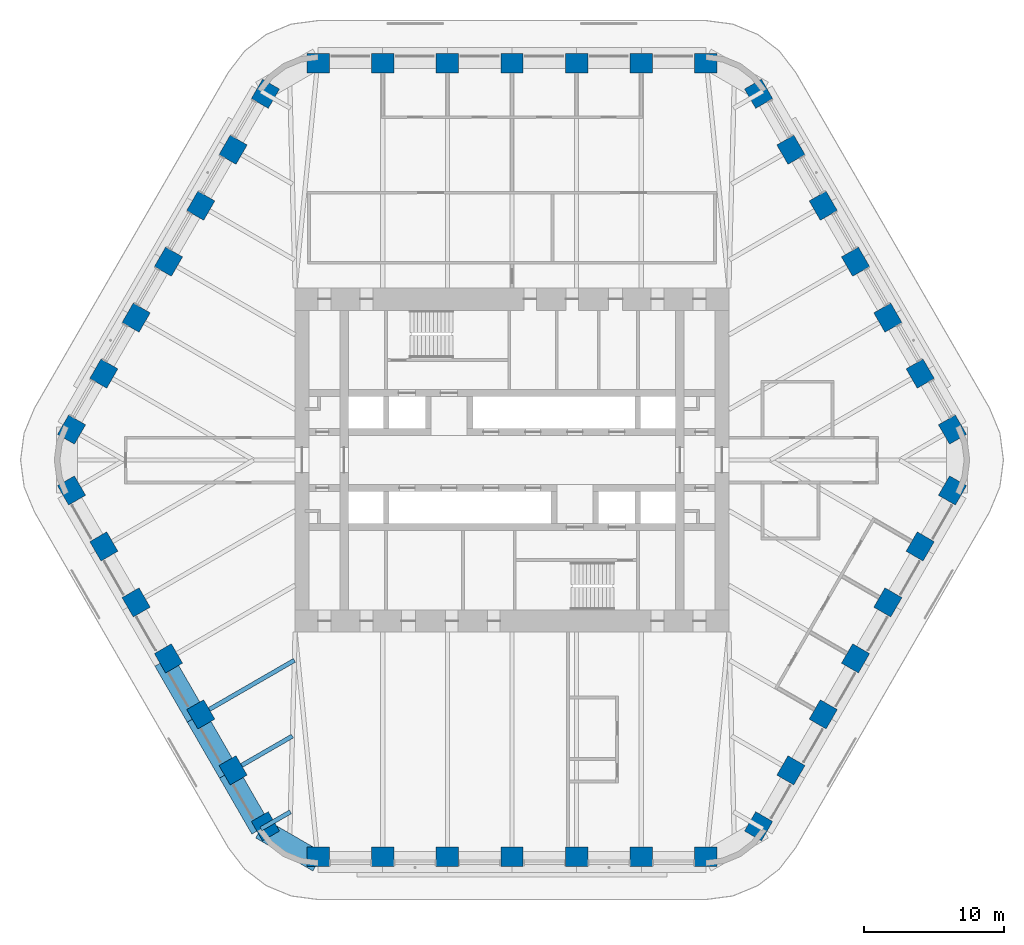
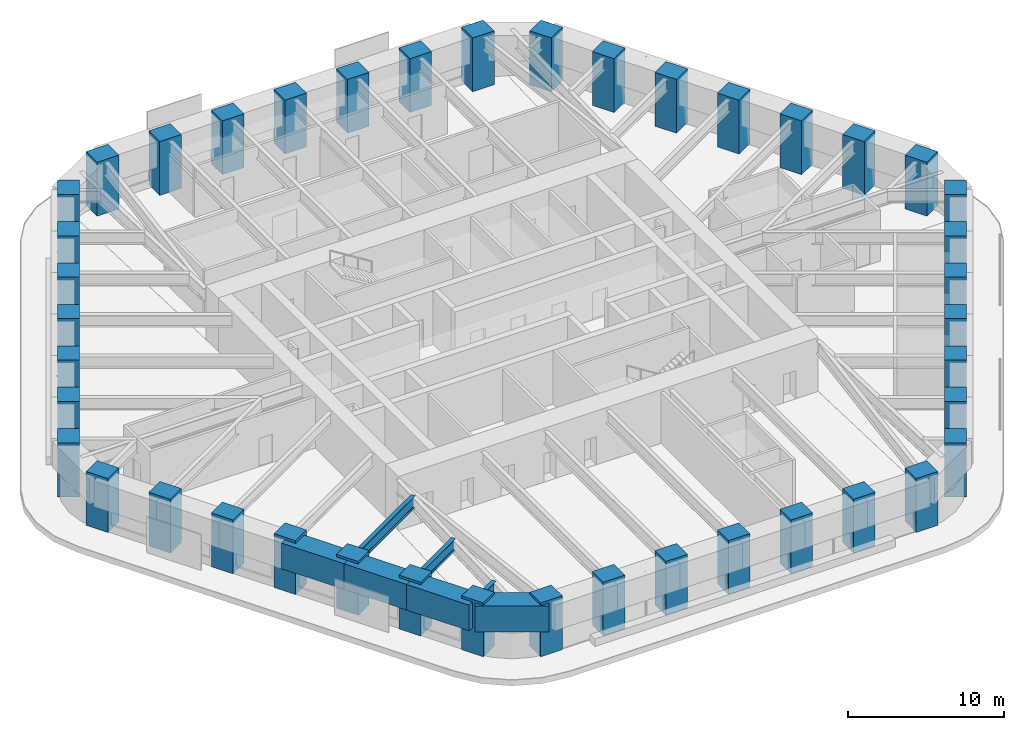
# One storey, part 1 of 20: 42 columns, 7 beams.
"""IFC4 building model written with IfcOpenShell, lengths in metres."""

import ifcopenshell
import ifcopenshell.guid

model = None  # the IFC model being written
_history = None  # IfcOwnerHistory: only IFC2X3 demands one
_inside = {}  # id of a spatial element -> (the spatial element, [elements in it])
_under = {}  # id of a project, library or spatial element -> (it, [spatial elements below it])
_declared = {}  # id of a project -> (the project, [libraries it declares])
_typed = {}  # id of a type object -> (the type object, [elements of that type])
_made_of = {}  # id of a material, layer set ... -> (it, [elements and type objects made of it])


def new_model(schema):
    """Start an empty IFC model of exactly this schema.

    Asked for "IFC4X3", IfcOpenShell would pick the latest addendum, in which some entities
    have other attributes; the version numbers below select the first issue.
    IFC2X3 requires an IfcOwnerHistory on every rooted entity: one is made here for all.
    """
    global model, _history
    if schema == "IFC4X3":
        model = ifcopenshell.file(schema_version=(4, 3, 0, 0))
    else:
        model = ifcopenshell.file(schema=schema)
    _inside.clear()
    _under.clear()
    _declared.clear()
    _typed.clear()
    _made_of.clear()
    _history = None
    if model.schema == "IFC2X3":
        org = make("IfcOrganization", Name="unknown")
        user = make(
            "IfcPersonAndOrganization",
            ThePerson=make("IfcPerson", FamilyName="unknown"),
            TheOrganization=org,
        )
        app = make(
            "IfcApplication",
            ApplicationDeveloper=org,
            Version="unknown",
            ApplicationFullName="unknown",
            ApplicationIdentifier="unknown",
        )
        _history = make(
            "IfcOwnerHistory",
            OwningUser=user,
            OwningApplication=app,
            ChangeAction="ADDED",
            CreationDate=0,
        )
    return model


def make(cls, **values):
    """One entity of the class cls with the attributes given. An attribute that is None is left unset."""
    return model.create_entity(
        cls, **{name: value for name, value in values.items() if value is not None}
    )


def rooted(cls, **values):
    """An entity with a GlobalId (a new one), such as an element, a storey or a relation."""
    return make(cls, GlobalId=ifcopenshell.guid.new(), OwnerHistory=_history, **values)


def si_unit(unit_type, name, prefix=None):
    """IfcSIUnit, for example si_unit("LENGTHUNIT", "METRE", prefix="MILLI")."""
    return make("IfcSIUnit", UnitType=unit_type, Prefix=prefix, Name=name)


def assignment(units):
    """IfcUnitAssignment: the units of a project."""
    return None if units is None else make("IfcUnitAssignment", Units=units)


def point(xyz):
    """IfcCartesianPoint."""
    return None if xyz is None else make("IfcCartesianPoint", Coordinates=xyz)


def direction(xyz):
    """IfcDirection."""
    return None if xyz is None else make("IfcDirection", DirectionRatios=xyz)


def frame(location, z_axis=None, x_axis=None):
    """IfcAxis2Placement3D, a coordinate frame: its origin and axes. An axis left out is left unset."""
    return make(
        "IfcAxis2Placement3D",
        Location=point(location),
        Axis=direction(z_axis),
        RefDirection=direction(x_axis),
    )


def frame_2d(location, x_axis=None):
    """IfcAxis2Placement2D, a coordinate frame in the plane: its origin and x axis."""
    return make(
        "IfcAxis2Placement2D", Location=point(location), RefDirection=direction(x_axis)
    )


def origin():
    """The frame at (0, 0, 0) with its axes left unset."""
    return frame((0.0, 0.0, 0.0))


def origin_2d():
    """The frame at (0, 0) in the plane with its x axis left unset."""
    return frame_2d((0.0, 0.0))


def place(relative_to, where):
    """IfcLocalPlacement: puts the frame where relative to a parent placement (None: the world)."""
    return make(
        "IfcLocalPlacement", PlacementRelTo=relative_to, RelativePlacement=where
    )


def context(
    kind, dimensions, precision=None, world=None, true_north=None, identifier=None
):
    """IfcGeometricRepresentationContext, for example the 3D "Model" context."""
    return make(
        "IfcGeometricRepresentationContext",
        ContextIdentifier=identifier,
        ContextType=kind,
        CoordinateSpaceDimension=dimensions,
        Precision=precision,
        WorldCoordinateSystem=world,
        TrueNorth=true_north,
    )


def subcontext(parent, identifier, kind, view, scale=None):
    """IfcGeometricRepresentationSubContext, for example "Body" below "Model"."""
    return make(
        "IfcGeometricRepresentationSubContext",
        ContextIdentifier=identifier,
        ContextType=kind,
        ParentContext=parent,
        TargetScale=scale,
        TargetView=view,
    )


def project(units=None, contexts=None):
    """IfcProject with its units and contexts."""
    return rooted(
        "IfcProject",
        Name="project",
        RepresentationContexts=contexts,
        UnitsInContext=assignment(units),
    )


def spatial(cls, under=None, at=None, **own):
    """A site, building, storey or space (cls), placed at a placement, below another one or the project."""
    s = rooted(cls, ObjectPlacement=at, **own)
    if under is not None:
        _under.setdefault(under.id(), (under, []))[1].append(s)
    return s


def profile(cls, at=None, kind="AREA", **sizes):
    """A parametric profile (cls). Its sizes go by their IFC names, for example OverallWidth=200.0."""
    return make(cls, ProfileType=kind, Position=at, **sizes)


def rectangle(**sizes):
    """IfcRectangleProfileDef."""
    return profile("IfcRectangleProfileDef", **sizes)


def i_section(**sizes):
    """IfcIShapeProfileDef."""
    return profile("IfcIShapeProfileDef", **sizes)


def extrude(swept, where, along, depth):
    """IfcExtrudedAreaSolid: the profile swept, set in the frame where, extruded along a direction by depth."""
    return make(
        "IfcExtrudedAreaSolid",
        SweptArea=swept,
        Position=where,
        ExtrudedDirection=direction(along),
        Depth=depth,
    )


def shape(context_of_items, identifier, shape_type, items):
    """IfcShapeRepresentation: the items that make up one representation, for example the "Body"."""
    return make(
        "IfcShapeRepresentation",
        ContextOfItems=context_of_items,
        RepresentationIdentifier=identifier,
        RepresentationType=shape_type,
        Items=items,
    )


def material(Name=None, Category=None):
    """IfcMaterial."""
    return make("IfcMaterial", Name=Name, Category=Category)


def material_profile(
    of_material, cross_section, Name=None, Category=None, Priority=None
):
    """IfcMaterialProfile: a cross section and its material."""
    return make(
        "IfcMaterialProfile",
        Name=Name,
        Material=of_material,
        Profile=cross_section,
        Priority=Priority,
        Category=Category,
    )


def profile_set(profiles, Name=None, composite=None):
    """IfcMaterialProfileSet."""
    return make(
        "IfcMaterialProfileSet",
        Name=Name,
        MaterialProfiles=profiles,
        CompositeProfile=composite,
    )


def made_of(thing, what):
    """Note that an element or type object is made of a material, layer set ...; save() writes the relation."""
    if what is not None:
        _made_of.setdefault(what.id(), (what, []))[1].append(thing)
    return thing


def type_object(cls, material=None, **own):
    """A type object (cls), such as IfcWallType, which elements share."""
    return made_of(rooted(cls, **own), material)


def element(
    cls,
    number,
    at=None,
    inside=None,
    cuts=None,
    type_object=None,
    material=None,
    context=None,
    identifier="Body",
    shape_type=None,
    held_by="IfcProductDefinitionShape",
    body=None,
    shapes=None,
    **own,
):
    """One element of the class cls, such as IfcWall. Its Tag is "e" and its number.

    at: its placement. inside: the storey or other place that contains it. cuts: it is an
    opening in that element (IfcRelVoidsElement). A single representation is given by context,
    identifier, shape_type and body (its items); several are given by shapes. held_by: the class
    of the entity that holds the representations. save() writes the other relations.
    """
    e = rooted(cls, Tag="e%d" % number, ObjectPlacement=at, **own)
    if body is not None:
        shapes = [shape(context, identifier, shape_type, body)]
    if shapes is not None:
        e.Representation = make(held_by, Representations=shapes)
    if inside is not None:
        _inside.setdefault(inside.id(), (inside, []))[1].append(e)
    if cuts is not None:
        rooted(
            "IfcRelVoidsElement", RelatingBuildingElement=cuts, RelatedOpeningElement=e
        )
    if type_object is not None:
        _typed.setdefault(type_object.id(), (type_object, []))[1].append(e)
    return made_of(e, material)


def aggregate(whole, parts):
    """IfcRelAggregates: a whole, such as a stair, and the parts it consists of."""
    return rooted("IfcRelAggregates", RelatingObject=whole, RelatedObjects=parts)


def save(model, path):
    """Write the relations noted so far, then the file.

    IfcRelAggregates (storeys below a building ...), IfcRelContainedInSpatialStructure (elements
    in a storey), IfcRelDefinesByType, IfcRelAssociatesMaterial and IfcRelDeclares: one each for
    every whole, place, type object, material and project.
    """
    for whole, parts in _under.values():
        aggregate(whole, parts)
    for where, things in _inside.values():
        rooted(
            "IfcRelContainedInSpatialStructure",
            RelatedElements=things,
            RelatingStructure=where,
        )
    for kind, things in _typed.values():
        rooted("IfcRelDefinesByType", RelatedObjects=things, RelatingType=kind)
    for what, things in _made_of.values():
        rooted("IfcRelAssociatesMaterial", RelatedObjects=things, RelatingMaterial=what)
    for by, libraries in _declared.values():
        rooted("IfcRelDeclares", RelatingContext=by, RelatedDefinitions=libraries)
    model.write(path)


model = new_model("IFC4")

# Units and contexts
model_context = context("Model", 3, precision=1e-05, world=origin(), true_north=direction((0.0, 1.0)))
body_context = subcontext(model_context, "Body", "Model", "MODEL_VIEW")
ifc_project = project(units=[si_unit("LENGTHUNIT", "METRE"), si_unit("AREAUNIT", "SQUARE_METRE"), si_unit("VOLUMEUNIT", "CUBIC_METRE"), si_unit("PLANEANGLEUNIT", "RADIAN"), si_unit("MASSUNIT", "GRAM", prefix="KILO")], contexts=[model_context])

# Site, building, storey
site_placement = place(None, origin())
site = spatial("IfcSite", under=ifc_project, at=site_placement, CompositionType="ELEMENT")
building_placement = place(site_placement, origin())
building = spatial("IfcBuilding", under=site, at=building_placement, Name="Tarfa Lantern Tower", CompositionType="ELEMENT")
storey_placement = place(building_placement, frame((0.0, 0.0, 223.89990234375)))
storey = spatial("IfcBuildingStorey", under=building, at=storey_placement, Name="L50", CompositionType="ELEMENT", Elevation=223.89990234375)

# Columns
ifc_material_1 = material(Name="Concrete C80/95", Category="concrete")
ifc_material_profile_1 = material_profile(ifc_material_1, rectangle(XDim=1.60009765625, YDim=1.39990234375, at=origin_2d()), Name="RC 1600x1400")
ifc_profile_set_1 = profile_set([ifc_material_profile_1], Name="Concrete C80/95")
column_type = type_object("IfcColumnType", Name="TC9 RC 1600x1400", PredefinedType="COLUMN", material=ifc_profile_set_1)
for number, where, z_axis, x_axis, name in (
    (1, (31.47998046875, 2.175048828125, 0.0), (0.0, 0.0, 1.0), (-0.5, 0.866025403784, 0.0), "Tube column NE0"),
    (2, (29.170654296875, 6.175048828125, 0.0), (0.0, 0.0, 1.0), (-0.5, 0.866025403784, 0.0), "Tube column NE1"),
    (3, (26.861328125, 10.175048828125, 0.0), (0.0, 0.0, 1.0), (-0.5, 0.866025403784, 0.0), "Tube column NE2"),
    (4, (24.5517578125, 14.175048828125, 0.0), (0.0, 0.0, 1.0), (-0.5, 0.866025403784, 0.0), "Tube column NE3"),
    (5, (22.242431640625, 18.175048828125, 0.0), (0.0, 0.0, 1.0), (-0.5, 0.866025403784, 0.0), "Tube column NE4"),
    (6, (19.93310546875, 22.175048828125, 0.0), (0.0, 0.0, 1.0), (-0.5, 0.866025403784, 0.0), "Tube column NE5"),
    (7, (17.62353515625, 26.175048828125, 0.0), (0.0, 0.0, 1.0), (-0.5, 0.866025403784, 0.0), "Tube column NE6"),
    (8, (13.8564453125, 28.35009765625, 0.0), (0.0, 0.0, 1.0), (-1.0, 0.0, 0.0), "Tube column N0"),
    (9, (9.237548828125, 28.35009765625, 0.0), (0.0, 0.0, 1.0), (-1.0, 0.0, 0.0), "Tube column N1"),
    (10, (4.618896484375, 28.35009765625, 0.0), (0.0, 0.0, 1.0), (-1.0, 0.0, 0.0), "Tube column N2"),
    (11, (0.0, 28.35009765625, 0.0), (0.0, 0.0, 1.0), (-1.0, 0.0, 0.0), "Tube column N3"),
    (12, (-4.618896484375, 28.35009765625, 0.0), (0.0, 0.0, 1.0), (-1.0, 0.0, 0.0), "Tube column N4"),
    (13, (-9.237548828125, 28.35009765625, 0.0), (0.0, 0.0, 1.0), (-1.0, 0.0, 0.0), "Tube column N5"),
    (14, (-13.8564453125, 28.35009765625, 0.0), (0.0, 0.0, 1.0), (-1.0, 0.0, 0.0), "Tube column N6"),
    (15, (-17.62353515625, 26.175048828125, 0.0), (0.0, 0.0, 1.0), (-0.5, -0.866025403784, 0.0), "Tube column NW0"),
    (16, (-19.93310546875, 22.175048828125, 0.0), (0.0, 0.0, 1.0), (-0.5, -0.866025403784, 0.0), "Tube column NW1"),
    (17, (-22.242431640625, 18.175048828125, 0.0), (0.0, 0.0, 1.0), (-0.5, -0.866025403784, 0.0), "Tube column NW2"),
    (18, (-24.5517578125, 14.175048828125, 0.0), (0.0, 0.0, 1.0), (-0.5, -0.866025403784, 0.0), "Tube column NW3"),
    (19, (-26.861328125, 10.175048828125, 0.0), (0.0, 0.0, 1.0), (-0.5, -0.866025403784, 0.0), "Tube column NW4"),
    (20, (-29.170654296875, 6.175048828125, 0.0), (0.0, 0.0, 1.0), (-0.5, -0.866025403784, 0.0), "Tube column NW5"),
    (21, (-31.47998046875, 2.175048828125, 0.0), (0.0, 0.0, 1.0), (-0.5, -0.866025403784, 0.0), "Tube column NW6"),
    (22, (-31.47998046875, -2.175048828125, 0.0), (0.0, 0.0, 1.0), (0.5, -0.866025403784, 0.0), "Tube column SW0"),
    (23, (-29.170654296875, -6.175048828125, 0.0), (0.0, 0.0, 1.0), (0.5, -0.866025403784, 0.0), "Tube column SW1"),
    (24, (-26.861328125, -10.175048828125, 0.0), (0.0, 0.0, 1.0), (0.5, -0.866025403784, 0.0), "Tube column SW2"),
    (25, (-24.5517578125, -14.175048828125, 0.0), (0.0, 0.0, 1.0), (0.5, -0.866025403784, 0.0), "Tube column SW3"),
    (26, (-22.242431640625, -18.175048828125, 0.0), (0.0, 0.0, 1.0), (0.5, -0.866025403784, 0.0), "Tube column SW4"),
    (27, (-19.93310546875, -22.175048828125, 0.0), (0.0, 0.0, 1.0), (0.5, -0.866025403784, 0.0), "Tube column SW5"),
    (28, (-17.62353515625, -26.175048828125, 0.0), (0.0, 0.0, 1.0), (0.5, -0.866025403784, 0.0), "Tube column SW6"),
    (29, (-13.8564453125, -28.35009765625, 0.0), (0.0, 0.0, 1.0), (1.0, 0.0, 0.0), "Tube column S0"),
    (30, (-9.237548828125, -28.35009765625, 0.0), (0.0, 0.0, 1.0), (1.0, 0.0, 0.0), "Tube column S1"),
    (31, (-4.618896484375, -28.35009765625, 0.0), (0.0, 0.0, 1.0), (1.0, 0.0, 0.0), "Tube column S2"),
    (32, (0.0, -28.35009765625, 0.0), (0.0, 0.0, 1.0), (1.0, 0.0, 0.0), "Tube column S3"),
    (33, (4.618896484375, -28.35009765625, 0.0), (0.0, 0.0, 1.0), (1.0, 0.0, 0.0), "Tube column S4"),
    (34, (9.237548828125, -28.35009765625, 0.0), (0.0, 0.0, 1.0), (1.0, 0.0, 0.0), "Tube column S5"),
    (35, (13.8564453125, -28.35009765625, 0.0), (0.0, 0.0, 1.0), (1.0, 0.0, 0.0), "Tube column S6"),
    (36, (17.62353515625, -26.175048828125, 0.0), (0.0, 0.0, 1.0), (0.5, 0.866025403784, 0.0), "Tube column SE0"),
    (37, (19.93310546875, -22.175048828125, 0.0), (0.0, 0.0, 1.0), (0.5, 0.866025403784, 0.0), "Tube column SE1"),
    (38, (22.242431640625, -18.175048828125, 0.0), (0.0, 0.0, 1.0), (0.5, 0.866025403784, 0.0), "Tube column SE2"),
    (39, (24.5517578125, -14.175048828125, 0.0), (0.0, 0.0, 1.0), (0.5, 0.866025403784, 0.0), "Tube column SE3"),
    (40, (26.861328125, -10.175048828125, 0.0), (0.0, 0.0, 1.0), (0.5, 0.866025403784, 0.0), "Tube column SE4"),
    (41, (29.170654296875, -6.175048828125, 0.0), (0.0, 0.0, 1.0), (0.5, 0.866025403784, 0.0), "Tube column SE5"),
    (42, (31.47998046875, -2.175048828125, 0.0), (0.0, 0.0, 1.0), (0.5, 0.866025403784, 0.0), "Tube column SE6"),
):
    element("IfcColumn", number, at=place(storey_placement, frame(where, z_axis=z_axis, x_axis=x_axis)), inside=storey, type_object=column_type, Name=name, PredefinedType="COLUMN", context=body_context, shape_type="SweptSolid", body=[
        extrude(rectangle(XDim=1.60009765625, YDim=1.39990234375, at=origin_2d()), origin(), (0.0, 0.0, 1.0), 4.2001953125),
    ])

# Beams
ifc_material_profile_2 = material_profile(ifc_material_1, rectangle(XDim=1.5, YDim=2.0, at=origin_2d()), Name="RC 1500x2000")
ifc_profile_set_2 = profile_set([ifc_material_profile_2], Name="Concrete C80/95")
beam_type_1 = type_object("IfcBeamType", Name="RB3 RC 1500x2000", PredefinedType="BEAM", material=ifc_profile_set_2)
beam_1_placement = place(storey_placement, frame((-24.872314453125, -14.360107421875, 3.0), z_axis=(0.500027479704, -0.866009537788, 0.0), x_axis=(0.866009537788, 0.500027479704, 0.0)))
element("IfcBeam", 43, at=beam_1_placement, inside=storey, type_object=beam_type_1, Name="Edge beam SW3", PredefinedType="BEAM", context=body_context, shape_type="SweptSolid", body=[
    extrude(rectangle(XDim=1.5, YDim=2.0, at=origin_2d()), origin(), (0.0, 0.0, 1.0), 4.618896484375),
])
for number, where, z_axis, x_axis, name in (
    (44, (-22.562744140625, -18.360107421875, 3.0), (0.499987836815, -0.866032426089, 0.0), (0.866032426089, 0.499987836815, 0.0), "Edge beam SW4"),
    (45, (-20.25341796875, -22.360107421875, 3.0), (0.499987836815, -0.866032426089, 0.0), (0.866032426089, 0.499987836815, 0.0), "Edge beam SW5"),
):
    element("IfcBeam", number, at=place(storey_placement, frame(where, z_axis=z_axis, x_axis=x_axis)), inside=storey, type_object=beam_type_1, Name=name, PredefinedType="BEAM", context=body_context, shape_type="SweptSolid", body=[
        extrude(rectangle(XDim=1.5, YDim=2.0, at=origin_2d()), origin(), (0.0, 0.0, 1.0), 4.61865234375),
    ])
beam_2_placement = place(storey_placement, frame((-17.944091796875, -26.360107421875, 3.0), z_axis=(0.866038294681, -0.499977671647, 0.0), x_axis=(0.499977671647, 0.866038294681, 0.0)))
element("IfcBeam", 46, at=beam_2_placement, inside=storey, type_object=beam_type_1, Name="Edge beam SW6", PredefinedType="BEAM", context=body_context, shape_type="SweptSolid", body=[
    extrude(rectangle(XDim=1.5, YDim=2.0, at=origin_2d()), origin(), (0.0, 0.0, 1.0), 4.719970703125),
])
ifc_material_2 = material(Name="Steel S460M", Category="steel")
ifc_material_profile_3 = material_profile(ifc_material_2, i_section(OverallWidth=0.305419921875, OverallDepth=0.91845703125, WebThickness=0.017333984375, FlangeThickness=0.02783203125, FilletRadius=0.01904296875, at=origin_2d()), Name="UB914x305x253")
ifc_profile_set_3 = profile_set([ifc_material_profile_3], Name="Steel S460M")
beam_type_2 = type_object("IfcBeamType", Name="UB914x305x253", PredefinedType="BEAM", material=ifc_profile_set_3)
beam_3_placement = place(storey_placement, frame((-22.562744140625, -18.360107421875, 3.541015625), z_axis=(0.866010787764, 0.500025314835, 0.0), x_axis=(-0.500025314835, 0.866010787764, 0.0)))
element("IfcBeam", 47, at=beam_3_placement, inside=storey, type_object=beam_type_2, Name="Floor beam SW4", PredefinedType="BEAM", context=body_context, shape_type="SweptSolid", body=[
    extrude(i_section(OverallWidth=0.305419921875, OverallDepth=0.91845703125, WebThickness=0.017333984375, FlangeThickness=0.02783203125, FilletRadius=0.01904296875, at=origin_2d()), origin(), (0.0, 0.0, 1.0), 8.09423828125),
])
beam_4_placement = place(storey_placement, frame((-20.25341796875, -22.360107421875, 3.541015625), z_axis=(0.86601951648, 0.500010196972, 0.0), x_axis=(-0.500010196972, 0.86601951648, 0.0)))
element("IfcBeam", 48, at=beam_4_placement, inside=storey, type_object=beam_type_2, Name="Floor beam SW5", PredefinedType="BEAM", context=body_context, shape_type="SweptSolid", body=[
    extrude(i_section(OverallWidth=0.305419921875, OverallDepth=0.91845703125, WebThickness=0.017333984375, FlangeThickness=0.02783203125, FilletRadius=0.01904296875, at=origin_2d()), origin(), (0.0, 0.0, 1.0), 5.263671875),
])
beam_5_placement = place(storey_placement, frame((-17.944091796875, -26.360107421875, 3.541015625), z_axis=(0.865980009423, 0.5000786171, 0.0), x_axis=(-0.5000786171, 0.865980009423, 0.0)))
element("IfcBeam", 49, at=beam_5_placement, inside=storey, type_object=beam_type_2, Name="Floor beam SW6", PredefinedType="BEAM", context=body_context, shape_type="SweptSolid", body=[
    extrude(i_section(OverallWidth=0.305419921875, OverallDepth=0.91845703125, WebThickness=0.017333984375, FlangeThickness=0.02783203125, FilletRadius=0.01904296875, at=origin_2d()), origin(), (0.0, 0.0, 1.0), 2.4326171875),
])

save(model, "model.ifc")
